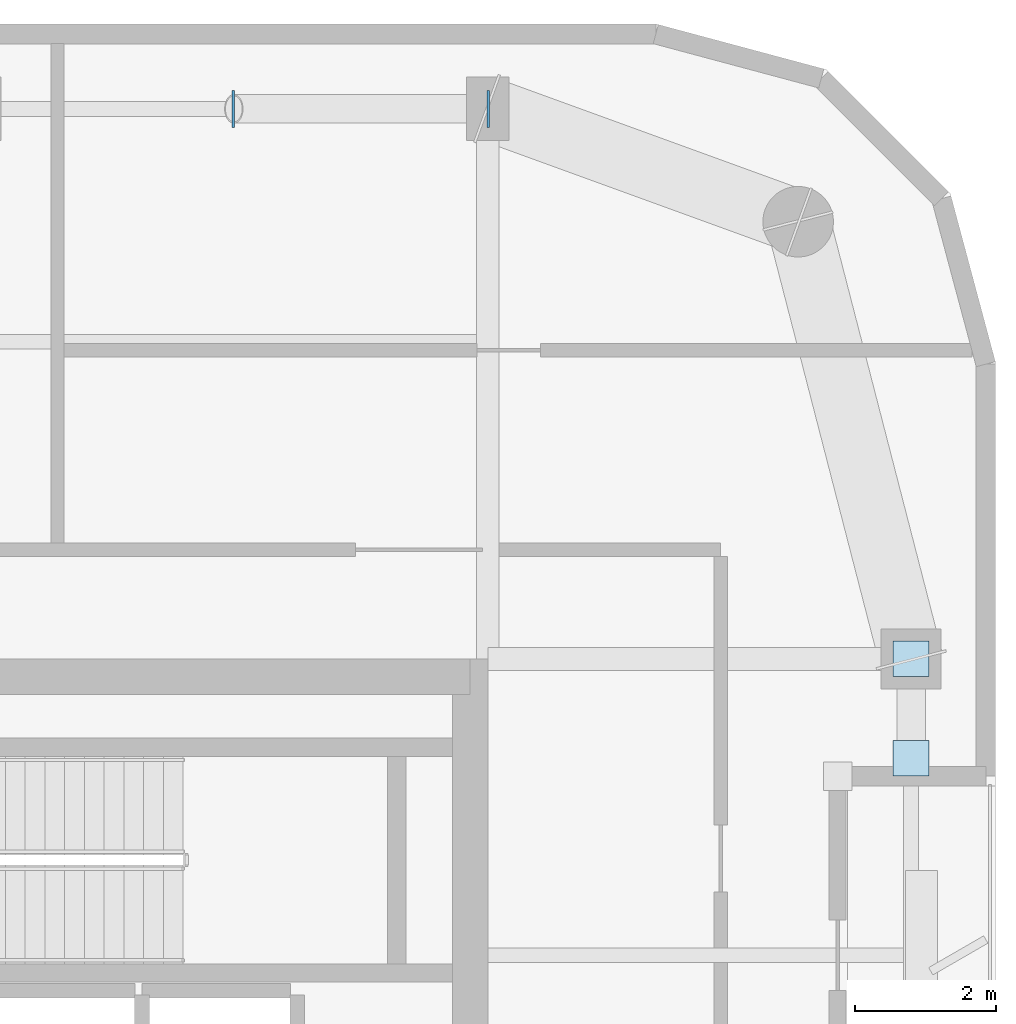
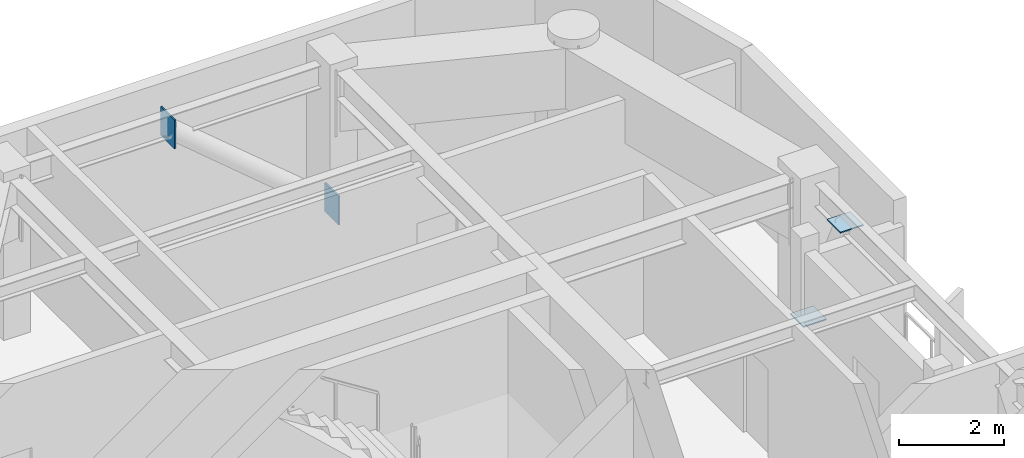
# One storey, part 9 of 16: 4 plates.
"""IFC4 building model written with IfcOpenShell, lengths in metres."""

from ifc_helpers import new_model, si_unit, direction, frame, origin, origin_2d, place, context, subcontext, project, spatial, rectangle, extrude, material, layer, layer_set, type_object, element, save


model = new_model("IFC4")

# Units and contexts
model_context = context("Model", 3, precision=1e-05, world=origin(), true_north=direction((0.0, 1.0)))
body_context = subcontext(model_context, "Body", "Model", "MODEL_VIEW")
ifc_project = project(units=[si_unit("LENGTHUNIT", "METRE"), si_unit("AREAUNIT", "SQUARE_METRE"), si_unit("VOLUMEUNIT", "CUBIC_METRE"), si_unit("PLANEANGLEUNIT", "RADIAN"), si_unit("MASSUNIT", "GRAM", prefix="KILO")], contexts=[model_context])

# Site, building, storey
site_placement = place(None, origin())
site = spatial("IfcSite", under=ifc_project, at=site_placement, CompositionType="ELEMENT")
building_placement = place(site_placement, origin())
building = spatial("IfcBuilding", under=site, at=building_placement, Name="Kiyonajd Concourse Tower", CompositionType="ELEMENT")
storey_placement = place(building_placement, frame((0.0, 0.0, 333.60009765625)))
storey = spatial("IfcBuildingStorey", under=building, at=storey_placement, Name="L84", CompositionType="ELEMENT", Elevation=333.60009765625)

# Plates
ifc_material = material(Name="Steel ASTM A572 Grade 50", Category="steel")
ifc_layer = layer(ifc_material, 0.028076171875)
ifc_layer_set = layer_set([ifc_layer], Name="Steel ASTM A572 Grade 50")
plate_type = type_object("IfcPlateType", Name="PL-CAP-450", PredefinedType="USERDEFINED", material=ifc_layer_set)
for number, where, z_axis, x_axis, name in (
    (1, (63.6083984375, 52.199951171875, -0.042724609375), (0.0, 0.0, 1.0), (1.0, 0.0, 0.0), "L84 Hollow Brace End Cap Plate PBN"),
    (2, (59.99169921875, 52.199951171875, 3.00146484375), (0.0, 0.0, 1.0), (-1.0, 0.0, 0.0), "L84 Hollow Brace Top Cap Plate PBN"),
):
    element("IfcPlate", number, at=place(storey_placement, frame(where, z_axis=z_axis, x_axis=x_axis)), inside=storey, type_object=plate_type, Name=name, ObjectType="CAP PLATE", PredefinedType="USERDEFINED", context=body_context, shape_type="SweptSolid", body=[
        extrude(rectangle(XDim=0.035888671875, YDim=0.52587890625, at=origin_2d()), origin(), (0.0, 0.0, 1.0), 0.6708984375),
    ])
for number, where, z_axis, x_axis, name in (
    (3, (69.60009765625, 44.404541015625, 0.27587890625), (0.0, 0.0, 1.0), (1.0, 0.0, 0.0), "L84 Hollow Brace End Cap Plate PBE"),
    (4, (69.60009765625, 42.995361328125, 3.32568359375), (0.0, 0.0, 1.0), (1.0, 0.0, 0.0), "L84 Hollow Brace Top Cap Plate PBE"),
):
    element("IfcPlate", number, at=place(storey_placement, frame(where, z_axis=z_axis, x_axis=x_axis)), inside=storey, type_object=plate_type, Name=name, ObjectType="CAP PLATE", PredefinedType="USERDEFINED", context=body_context, shape_type="SweptSolid", body=[
        extrude(rectangle(XDim=0.506103515625, YDim=0.506103515625, at=origin_2d()), origin(), (0.0, 0.0, 1.0), 0.028076171875),
    ])

save(model, "model.ifc")
